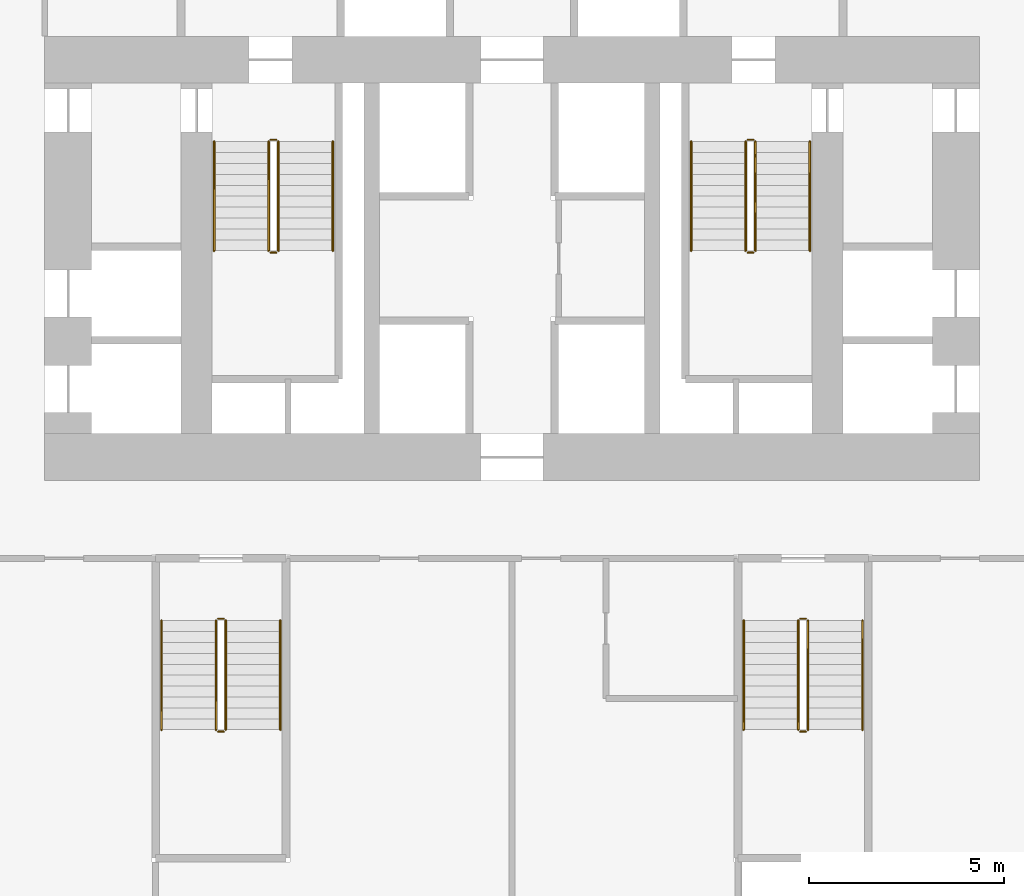
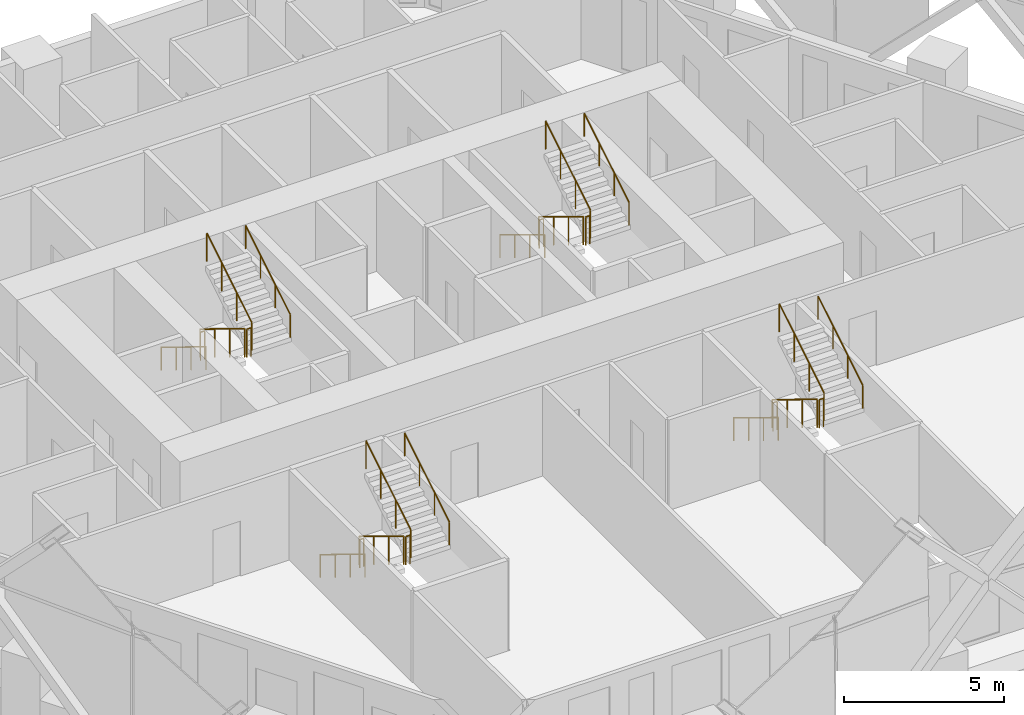
# One storey, part 22 of 22: 24 railings.
"""IFC4 building model written with IfcOpenShell, lengths in metres."""

from ifc_helpers import new_model, si_unit, direction, frame, origin, origin_2d, place, context, subcontext, project, spatial, circle, extrude, material, type_object, element, save


model = new_model("IFC4")

# Units and contexts
model_context = context("Model", 3, precision=1e-05, world=origin(), true_north=direction((0.0, 1.0)))
body_context = subcontext(model_context, "Body", "Model", "MODEL_VIEW")
ifc_project = project(units=[si_unit("LENGTHUNIT", "METRE"), si_unit("AREAUNIT", "SQUARE_METRE"), si_unit("VOLUMEUNIT", "CUBIC_METRE"), si_unit("PLANEANGLEUNIT", "RADIAN"), si_unit("MASSUNIT", "GRAM", prefix="KILO")], contexts=[model_context])

# Site, building, storey
site_placement = place(None, origin())
site = spatial("IfcSite", under=ifc_project, at=site_placement, CompositionType="ELEMENT")
building_placement = place(site_placement, origin())
building = spatial("IfcBuilding", under=site, at=building_placement, Name="Ostrander Bayou Hotel Tower", CompositionType="ELEMENT")
storey_placement = place(building_placement, frame((0.0, 0.0, 35.5)))
storey = spatial("IfcBuildingStorey", under=building, at=storey_placement, Name="L08", CompositionType="ELEMENT", Elevation=35.5)

# Railings
ifc_material_1 = material(Name="Steel ASTM A500 Gr C", Category="steel")
railing_type_1 = type_object("IfcRailingType", Name="GR1 stair guard 1100 mm steel", PredefinedType="GUARDRAIL", material=ifc_material_1)
railing_1_placement = place(storey_placement, frame((-6.25, 7.0, 0.17041015625)))
element("IfcRailing", 1, at=railing_1_placement, inside=storey, type_object=railing_type_1, Name="L08 STA stair guard 1", PredefinedType="GUARDRAIL", context=body_context, shape_type="SweptSolid", body=[
    extrude(circle(Radius=0.02392578125, at=origin_2d()), frame((0.0, 0.0, 1.076171875), z_axis=(0.0, -0.854169791009, 0.51999420009), x_axis=(1.0, 0.0, 0.0)), (0.0, 0.0, 1.0), 3.278076171875),
    extrude(circle(Radius=0.02099609375, at=origin_2d()), origin(), (0.0, 0.0, 1.0), 1.052001953125),
    extrude(circle(Radius=0.02099609375, at=origin_2d()), frame((0.0, -0.933349609375, 0.568115234375)), (0.0, 0.0, 1.0), 1.052001953125),
    extrude(circle(Radius=0.02099609375, at=origin_2d()), frame((0.0, -1.86669921875, 1.136474609375)), (0.0, 0.0, 1.0), 1.052001953125),
    extrude(circle(Radius=0.02099609375, at=origin_2d()), frame((0.0, -2.800048828125, 1.70458984375)), (0.0, 0.0, 1.0), 1.052001953125),
])
railing_2_placement = place(storey_placement, frame((-6.199951171875, 4.14990234375, 1.875)))
element("IfcRailing", 2, at=railing_2_placement, inside=storey, type_object=railing_type_1, Name="L08 STA stair guard 2", PredefinedType="GUARDRAIL", context=body_context, shape_type="SweptSolid", body=[
    extrude(circle(Radius=0.02392578125, at=origin_2d()), frame((0.0, 0.0, 1.076171875), z_axis=(1.0, 0.0, 0.0), x_axis=(0.0, 1.0, 0.0)), (0.0, 0.0, 1.0), 0.14990234375),
    extrude(circle(Radius=0.02099609375, at=origin_2d()), origin(), (0.0, 0.0, 1.0), 1.052001953125),
    extrude(circle(Radius=0.02099609375, at=origin_2d()), frame((0.14990234375, 0.0, 0.0)), (0.0, 0.0, 1.0), 1.052001953125),
])
railing_3_placement = place(storey_placement, frame((-6.0, 4.199951171875, 2.04541015625)))
element("IfcRailing", 3, at=railing_3_placement, inside=storey, type_object=railing_type_1, Name="L08 STA stair guard 3", PredefinedType="GUARDRAIL", context=body_context, shape_type="SweptSolid", body=[
    extrude(circle(Radius=0.02392578125, at=origin_2d()), frame((0.0, 0.0, 1.076171875), z_axis=(0.0, 0.854169791009, 0.51999420009), x_axis=(-1.0, 0.0, 0.0)), (0.0, 0.0, 1.0), 3.278076171875),
    extrude(circle(Radius=0.02099609375, at=origin_2d()), origin(), (0.0, 0.0, 1.0), 1.052001953125),
    extrude(circle(Radius=0.02099609375, at=origin_2d()), frame((0.0, 0.933349609375, 0.568115234375)), (0.0, 0.0, 1.0), 1.052001953125),
    extrude(circle(Radius=0.02099609375, at=origin_2d()), frame((0.0, 1.86669921875, 1.136474609375)), (0.0, 0.0, 1.0), 1.052001953125),
    extrude(circle(Radius=0.02099609375, at=origin_2d()), frame((0.0, 2.800048828125, 1.70458984375)), (0.0, 0.0, 1.0), 1.052001953125),
])
railing_4_placement = place(storey_placement, frame((-6.199951171875, 7.050048828125, 0.0)))
element("IfcRailing", 4, at=railing_4_placement, inside=storey, type_object=railing_type_1, Name="L08 STA stair guard 4", PredefinedType="GUARDRAIL", context=body_context, shape_type="SweptSolid", body=[
    extrude(circle(Radius=0.02392578125, at=origin_2d()), frame((0.0, 0.0, 1.076171875), z_axis=(1.0, 0.0, 0.0), x_axis=(0.0, 1.0, 0.0)), (0.0, 0.0, 1.0), 0.14990234375),
    extrude(circle(Radius=0.02099609375, at=origin_2d()), origin(), (0.0, 0.0, 1.0), 1.052001953125),
    extrude(circle(Radius=0.02099609375, at=origin_2d()), frame((0.14990234375, 0.0, 0.0)), (0.0, 0.0, 1.0), 1.052001953125),
])
railing_5_placement = place(storey_placement, frame((6.0, 7.0, 0.17041015625)))
element("IfcRailing", 5, at=railing_5_placement, inside=storey, type_object=railing_type_1, Name="L08 STB stair guard 1", PredefinedType="GUARDRAIL", context=body_context, shape_type="SweptSolid", body=[
    extrude(circle(Radius=0.02392578125, at=origin_2d()), frame((0.0, 0.0, 1.076171875), z_axis=(0.0, -0.854169791009, 0.51999420009), x_axis=(1.0, 0.0, 0.0)), (0.0, 0.0, 1.0), 3.278076171875),
    extrude(circle(Radius=0.02099609375, at=origin_2d()), origin(), (0.0, 0.0, 1.0), 1.052001953125),
    extrude(circle(Radius=0.02099609375, at=origin_2d()), frame((0.0, -0.933349609375, 0.568115234375)), (0.0, 0.0, 1.0), 1.052001953125),
    extrude(circle(Radius=0.02099609375, at=origin_2d()), frame((0.0, -1.86669921875, 1.136474609375)), (0.0, 0.0, 1.0), 1.052001953125),
    extrude(circle(Radius=0.02099609375, at=origin_2d()), frame((0.0, -2.800048828125, 1.70458984375)), (0.0, 0.0, 1.0), 1.052001953125),
])
railing_6_placement = place(storey_placement, frame((6.050048828125, 4.14990234375, 1.875)))
element("IfcRailing", 6, at=railing_6_placement, inside=storey, type_object=railing_type_1, Name="L08 STB stair guard 2", PredefinedType="GUARDRAIL", context=body_context, shape_type="SweptSolid", body=[
    extrude(circle(Radius=0.02392578125, at=origin_2d()), frame((0.0, 0.0, 1.076171875), z_axis=(1.0, 0.0, 0.0), x_axis=(0.0, 1.0, 0.0)), (0.0, 0.0, 1.0), 0.14990234375),
    extrude(circle(Radius=0.02099609375, at=origin_2d()), origin(), (0.0, 0.0, 1.0), 1.052001953125),
    extrude(circle(Radius=0.02099609375, at=origin_2d()), frame((0.14990234375, 0.0, 0.0)), (0.0, 0.0, 1.0), 1.052001953125),
])
railing_7_placement = place(storey_placement, frame((6.25, 4.199951171875, 2.04541015625)))
element("IfcRailing", 7, at=railing_7_placement, inside=storey, type_object=railing_type_1, Name="L08 STB stair guard 3", PredefinedType="GUARDRAIL", context=body_context, shape_type="SweptSolid", body=[
    extrude(circle(Radius=0.02392578125, at=origin_2d()), frame((0.0, 0.0, 1.076171875), z_axis=(0.0, 0.854169791009, 0.51999420009), x_axis=(-1.0, 0.0, 0.0)), (0.0, 0.0, 1.0), 3.278076171875),
    extrude(circle(Radius=0.02099609375, at=origin_2d()), origin(), (0.0, 0.0, 1.0), 1.052001953125),
    extrude(circle(Radius=0.02099609375, at=origin_2d()), frame((0.0, 0.933349609375, 0.568115234375)), (0.0, 0.0, 1.0), 1.052001953125),
    extrude(circle(Radius=0.02099609375, at=origin_2d()), frame((0.0, 1.86669921875, 1.136474609375)), (0.0, 0.0, 1.0), 1.052001953125),
    extrude(circle(Radius=0.02099609375, at=origin_2d()), frame((0.0, 2.800048828125, 1.70458984375)), (0.0, 0.0, 1.0), 1.052001953125),
])
railing_8_placement = place(storey_placement, frame((6.050048828125, 7.050048828125, 0.0)))
element("IfcRailing", 8, at=railing_8_placement, inside=storey, type_object=railing_type_1, Name="L08 STB stair guard 4", PredefinedType="GUARDRAIL", context=body_context, shape_type="SweptSolid", body=[
    extrude(circle(Radius=0.02392578125, at=origin_2d()), frame((0.0, 0.0, 1.076171875), z_axis=(1.0, 0.0, 0.0), x_axis=(0.0, 1.0, 0.0)), (0.0, 0.0, 1.0), 0.14990234375),
    extrude(circle(Radius=0.02099609375, at=origin_2d()), origin(), (0.0, 0.0, 1.0), 1.052001953125),
    extrude(circle(Radius=0.02099609375, at=origin_2d()), frame((0.14990234375, 0.0, 0.0)), (0.0, 0.0, 1.0), 1.052001953125),
])
railing_9_placement = place(storey_placement, frame((7.35009765625, -5.300048828125, 0.17041015625)))
element("IfcRailing", 9, at=railing_9_placement, inside=storey, type_object=railing_type_1, Name="L08 STC stair guard 1", PredefinedType="GUARDRAIL", context=body_context, shape_type="SweptSolid", body=[
    extrude(circle(Radius=0.02392578125, at=origin_2d()), frame((0.0, 0.0, 1.076171875), z_axis=(0.0, -0.854169791009, 0.51999420009), x_axis=(1.0, 0.0, 0.0)), (0.0, 0.0, 1.0), 3.278076171875),
    extrude(circle(Radius=0.02099609375, at=origin_2d()), origin(), (0.0, 0.0, 1.0), 1.052001953125),
    extrude(circle(Radius=0.02099609375, at=origin_2d()), frame((0.0, -0.933349609375, 0.568115234375)), (0.0, 0.0, 1.0), 1.052001953125),
    extrude(circle(Radius=0.02099609375, at=origin_2d()), frame((0.0, -1.86669921875, 1.136474609375)), (0.0, 0.0, 1.0), 1.052001953125),
    extrude(circle(Radius=0.02099609375, at=origin_2d()), frame((0.0, -2.800048828125, 1.70458984375)), (0.0, 0.0, 1.0), 1.052001953125),
])
railing_10_placement = place(storey_placement, frame((7.39990234375, -8.14990234375, 1.875)))
element("IfcRailing", 10, at=railing_10_placement, inside=storey, type_object=railing_type_1, Name="L08 STC stair guard 2", PredefinedType="GUARDRAIL", context=body_context, shape_type="SweptSolid", body=[
    extrude(circle(Radius=0.02392578125, at=origin_2d()), frame((0.0, 0.0, 1.076171875), z_axis=(1.0, 0.0, 0.0), x_axis=(0.0, 1.0, 0.0)), (0.0, 0.0, 1.0), 0.150146484375),
    extrude(circle(Radius=0.02099609375, at=origin_2d()), origin(), (0.0, 0.0, 1.0), 1.052001953125),
    extrude(circle(Radius=0.02099609375, at=origin_2d()), frame((0.150146484375, 0.0, 0.0)), (0.0, 0.0, 1.0), 1.052001953125),
])
railing_11_placement = place(storey_placement, frame((7.60009765625, -8.10009765625, 2.04541015625)))
element("IfcRailing", 11, at=railing_11_placement, inside=storey, type_object=railing_type_1, Name="L08 STC stair guard 3", PredefinedType="GUARDRAIL", context=body_context, shape_type="SweptSolid", body=[
    extrude(circle(Radius=0.02392578125, at=origin_2d()), frame((0.0, 0.0, 1.076171875), z_axis=(0.0, 0.854169791009, 0.51999420009), x_axis=(-1.0, 0.0, 0.0)), (0.0, 0.0, 1.0), 3.278076171875),
    extrude(circle(Radius=0.02099609375, at=origin_2d()), origin(), (0.0, 0.0, 1.0), 1.052001953125),
    extrude(circle(Radius=0.02099609375, at=origin_2d()), frame((0.0, 0.933349609375, 0.568115234375)), (0.0, 0.0, 1.0), 1.052001953125),
    extrude(circle(Radius=0.02099609375, at=origin_2d()), frame((0.0, 1.86669921875, 1.136474609375)), (0.0, 0.0, 1.0), 1.052001953125),
    extrude(circle(Radius=0.02099609375, at=origin_2d()), frame((0.0, 2.800048828125, 1.70458984375)), (0.0, 0.0, 1.0), 1.052001953125),
])
railing_12_placement = place(storey_placement, frame((7.39990234375, -5.25, 0.0)))
element("IfcRailing", 12, at=railing_12_placement, inside=storey, type_object=railing_type_1, Name="L08 STC stair guard 4", PredefinedType="GUARDRAIL", context=body_context, shape_type="SweptSolid", body=[
    extrude(circle(Radius=0.02392578125, at=origin_2d()), frame((0.0, 0.0, 1.076171875), z_axis=(1.0, 0.0, 0.0), x_axis=(0.0, 1.0, 0.0)), (0.0, 0.0, 1.0), 0.150146484375),
    extrude(circle(Radius=0.02099609375, at=origin_2d()), origin(), (0.0, 0.0, 1.0), 1.052001953125),
    extrude(circle(Radius=0.02099609375, at=origin_2d()), frame((0.150146484375, 0.0, 0.0)), (0.0, 0.0, 1.0), 1.052001953125),
])
railing_13_placement = place(storey_placement, frame((-7.60009765625, -5.300048828125, 0.17041015625)))
element("IfcRailing", 13, at=railing_13_placement, inside=storey, type_object=railing_type_1, Name="L08 STD stair guard 1", PredefinedType="GUARDRAIL", context=body_context, shape_type="SweptSolid", body=[
    extrude(circle(Radius=0.02392578125, at=origin_2d()), frame((0.0, 0.0, 1.076171875), z_axis=(0.0, -0.854169791009, 0.51999420009), x_axis=(1.0, 0.0, 0.0)), (0.0, 0.0, 1.0), 3.278076171875),
    extrude(circle(Radius=0.02099609375, at=origin_2d()), origin(), (0.0, 0.0, 1.0), 1.052001953125),
    extrude(circle(Radius=0.02099609375, at=origin_2d()), frame((0.0, -0.933349609375, 0.568115234375)), (0.0, 0.0, 1.0), 1.052001953125),
    extrude(circle(Radius=0.02099609375, at=origin_2d()), frame((0.0, -1.86669921875, 1.136474609375)), (0.0, 0.0, 1.0), 1.052001953125),
    extrude(circle(Radius=0.02099609375, at=origin_2d()), frame((0.0, -2.800048828125, 1.70458984375)), (0.0, 0.0, 1.0), 1.052001953125),
])
railing_14_placement = place(storey_placement, frame((-7.550048828125, -8.14990234375, 1.875)))
element("IfcRailing", 14, at=railing_14_placement, inside=storey, type_object=railing_type_1, Name="L08 STD stair guard 2", PredefinedType="GUARDRAIL", context=body_context, shape_type="SweptSolid", body=[
    extrude(circle(Radius=0.02392578125, at=origin_2d()), frame((0.0, 0.0, 1.076171875), z_axis=(1.0, 0.0, 0.0), x_axis=(0.0, 1.0, 0.0)), (0.0, 0.0, 1.0), 0.150146484375),
    extrude(circle(Radius=0.02099609375, at=origin_2d()), origin(), (0.0, 0.0, 1.0), 1.052001953125),
    extrude(circle(Radius=0.02099609375, at=origin_2d()), frame((0.150146484375, 0.0, 0.0)), (0.0, 0.0, 1.0), 1.052001953125),
])
railing_15_placement = place(storey_placement, frame((-7.35009765625, -8.10009765625, 2.04541015625)))
element("IfcRailing", 15, at=railing_15_placement, inside=storey, type_object=railing_type_1, Name="L08 STD stair guard 3", PredefinedType="GUARDRAIL", context=body_context, shape_type="SweptSolid", body=[
    extrude(circle(Radius=0.02392578125, at=origin_2d()), frame((0.0, 0.0, 1.076171875), z_axis=(0.0, 0.854169791009, 0.51999420009), x_axis=(-1.0, 0.0, 0.0)), (0.0, 0.0, 1.0), 3.278076171875),
    extrude(circle(Radius=0.02099609375, at=origin_2d()), origin(), (0.0, 0.0, 1.0), 1.052001953125),
    extrude(circle(Radius=0.02099609375, at=origin_2d()), frame((0.0, 0.933349609375, 0.568115234375)), (0.0, 0.0, 1.0), 1.052001953125),
    extrude(circle(Radius=0.02099609375, at=origin_2d()), frame((0.0, 1.86669921875, 1.136474609375)), (0.0, 0.0, 1.0), 1.052001953125),
    extrude(circle(Radius=0.02099609375, at=origin_2d()), frame((0.0, 2.800048828125, 1.70458984375)), (0.0, 0.0, 1.0), 1.052001953125),
])
railing_16_placement = place(storey_placement, frame((-7.550048828125, -5.25, 0.0)))
element("IfcRailing", 16, at=railing_16_placement, inside=storey, type_object=railing_type_1, Name="L08 STD stair guard 4", PredefinedType="GUARDRAIL", context=body_context, shape_type="SweptSolid", body=[
    extrude(circle(Radius=0.02392578125, at=origin_2d()), frame((0.0, 0.0, 1.076171875), z_axis=(1.0, 0.0, 0.0), x_axis=(0.0, 1.0, 0.0)), (0.0, 0.0, 1.0), 0.150146484375),
    extrude(circle(Radius=0.02099609375, at=origin_2d()), origin(), (0.0, 0.0, 1.0), 1.052001953125),
    extrude(circle(Radius=0.02099609375, at=origin_2d()), frame((0.150146484375, 0.0, 0.0)), (0.0, 0.0, 1.0), 1.052001953125),
])
ifc_material_2 = material(Name="Steel ASTM A500 Gr C", Category="steel")
railing_type_2 = type_object("IfcRailingType", Name="HR1 stair handrail 900 mm steel", PredefinedType="HANDRAIL", material=ifc_material_2)
railing_17_placement = place(storey_placement, frame((-7.64990234375, 7.0, 0.17041015625)))
element("IfcRailing", 17, at=railing_17_placement, inside=storey, type_object=railing_type_2, Name="L08 STA stair handrail 1", PredefinedType="HANDRAIL", context=body_context, shape_type="SweptSolid", body=[
    extrude(circle(Radius=0.02392578125, at=origin_2d()), frame((0.0, 0.0, 0.8759765625), z_axis=(0.0, -0.854169791009, 0.51999420009), x_axis=(1.0, 0.0, 0.0)), (0.0, 0.0, 1.0), 3.278076171875),
    extrude(circle(Radius=0.02099609375, at=origin_2d()), origin(), (0.0, 0.0, 1.0), 0.851806640625),
    extrude(circle(Radius=0.02099609375, at=origin_2d()), frame((0.0, -0.933349609375, 0.568115234375)), (0.0, 0.0, 1.0), 0.851806640625),
    extrude(circle(Radius=0.02099609375, at=origin_2d()), frame((0.0, -1.86669921875, 1.136474609375)), (0.0, 0.0, 1.0), 0.851806640625),
    extrude(circle(Radius=0.02099609375, at=origin_2d()), frame((0.0, -2.800048828125, 1.70458984375)), (0.0, 0.0, 1.0), 0.851806640625),
])
railing_18_placement = place(storey_placement, frame((-4.60009765625, 4.199951171875, 2.04541015625)))
element("IfcRailing", 18, at=railing_18_placement, inside=storey, type_object=railing_type_2, Name="L08 STA stair handrail 2", PredefinedType="HANDRAIL", context=body_context, shape_type="SweptSolid", body=[
    extrude(circle(Radius=0.02392578125, at=origin_2d()), frame((0.0, 0.0, 0.8759765625), z_axis=(0.0, 0.854169791009, 0.51999420009), x_axis=(-1.0, 0.0, 0.0)), (0.0, 0.0, 1.0), 3.278076171875),
    extrude(circle(Radius=0.02099609375, at=origin_2d()), origin(), (0.0, 0.0, 1.0), 0.851806640625),
    extrude(circle(Radius=0.02099609375, at=origin_2d()), frame((0.0, 0.933349609375, 0.568115234375)), (0.0, 0.0, 1.0), 0.851806640625),
    extrude(circle(Radius=0.02099609375, at=origin_2d()), frame((0.0, 1.86669921875, 1.136474609375)), (0.0, 0.0, 1.0), 0.851806640625),
    extrude(circle(Radius=0.02099609375, at=origin_2d()), frame((0.0, 2.800048828125, 1.70458984375)), (0.0, 0.0, 1.0), 0.851806640625),
])
railing_19_placement = place(storey_placement, frame((4.60009765625, 7.0, 0.17041015625)))
element("IfcRailing", 19, at=railing_19_placement, inside=storey, type_object=railing_type_2, Name="L08 STB stair handrail 1", PredefinedType="HANDRAIL", context=body_context, shape_type="SweptSolid", body=[
    extrude(circle(Radius=0.02392578125, at=origin_2d()), frame((0.0, 0.0, 0.8759765625), z_axis=(0.0, -0.854169791009, 0.51999420009), x_axis=(1.0, 0.0, 0.0)), (0.0, 0.0, 1.0), 3.278076171875),
    extrude(circle(Radius=0.02099609375, at=origin_2d()), origin(), (0.0, 0.0, 1.0), 0.851806640625),
    extrude(circle(Radius=0.02099609375, at=origin_2d()), frame((0.0, -0.933349609375, 0.568115234375)), (0.0, 0.0, 1.0), 0.851806640625),
    extrude(circle(Radius=0.02099609375, at=origin_2d()), frame((0.0, -1.86669921875, 1.136474609375)), (0.0, 0.0, 1.0), 0.851806640625),
    extrude(circle(Radius=0.02099609375, at=origin_2d()), frame((0.0, -2.800048828125, 1.70458984375)), (0.0, 0.0, 1.0), 0.851806640625),
])
railing_20_placement = place(storey_placement, frame((7.64990234375, 4.199951171875, 2.04541015625)))
element("IfcRailing", 20, at=railing_20_placement, inside=storey, type_object=railing_type_2, Name="L08 STB stair handrail 2", PredefinedType="HANDRAIL", context=body_context, shape_type="SweptSolid", body=[
    extrude(circle(Radius=0.02392578125, at=origin_2d()), frame((0.0, 0.0, 0.8759765625), z_axis=(0.0, 0.854169791009, 0.51999420009), x_axis=(-1.0, 0.0, 0.0)), (0.0, 0.0, 1.0), 3.278076171875),
    extrude(circle(Radius=0.02099609375, at=origin_2d()), origin(), (0.0, 0.0, 1.0), 0.851806640625),
    extrude(circle(Radius=0.02099609375, at=origin_2d()), frame((0.0, 0.933349609375, 0.568115234375)), (0.0, 0.0, 1.0), 0.851806640625),
    extrude(circle(Radius=0.02099609375, at=origin_2d()), frame((0.0, 1.86669921875, 1.136474609375)), (0.0, 0.0, 1.0), 0.851806640625),
    extrude(circle(Radius=0.02099609375, at=origin_2d()), frame((0.0, 2.800048828125, 1.70458984375)), (0.0, 0.0, 1.0), 0.851806640625),
])
railing_21_placement = place(storey_placement, frame((5.949951171875, -5.300048828125, 0.17041015625)))
element("IfcRailing", 21, at=railing_21_placement, inside=storey, type_object=railing_type_2, Name="L08 STC stair handrail 1", PredefinedType="HANDRAIL", context=body_context, shape_type="SweptSolid", body=[
    extrude(circle(Radius=0.02392578125, at=origin_2d()), frame((0.0, 0.0, 0.8759765625), z_axis=(0.0, -0.854169791009, 0.51999420009), x_axis=(1.0, 0.0, 0.0)), (0.0, 0.0, 1.0), 3.278076171875),
    extrude(circle(Radius=0.02099609375, at=origin_2d()), origin(), (0.0, 0.0, 1.0), 0.851806640625),
    extrude(circle(Radius=0.02099609375, at=origin_2d()), frame((0.0, -0.933349609375, 0.568115234375)), (0.0, 0.0, 1.0), 0.851806640625),
    extrude(circle(Radius=0.02099609375, at=origin_2d()), frame((0.0, -1.86669921875, 1.136474609375)), (0.0, 0.0, 1.0), 0.851806640625),
    extrude(circle(Radius=0.02099609375, at=origin_2d()), frame((0.0, -2.800048828125, 1.70458984375)), (0.0, 0.0, 1.0), 0.851806640625),
])
railing_22_placement = place(storey_placement, frame((9.0, -8.10009765625, 2.04541015625)))
element("IfcRailing", 22, at=railing_22_placement, inside=storey, type_object=railing_type_2, Name="L08 STC stair handrail 2", PredefinedType="HANDRAIL", context=body_context, shape_type="SweptSolid", body=[
    extrude(circle(Radius=0.02392578125, at=origin_2d()), frame((0.0, 0.0, 0.8759765625), z_axis=(0.0, 0.854169791009, 0.51999420009), x_axis=(-1.0, 0.0, 0.0)), (0.0, 0.0, 1.0), 3.278076171875),
    extrude(circle(Radius=0.02099609375, at=origin_2d()), origin(), (0.0, 0.0, 1.0), 0.851806640625),
    extrude(circle(Radius=0.02099609375, at=origin_2d()), frame((0.0, 0.933349609375, 0.568115234375)), (0.0, 0.0, 1.0), 0.851806640625),
    extrude(circle(Radius=0.02099609375, at=origin_2d()), frame((0.0, 1.86669921875, 1.136474609375)), (0.0, 0.0, 1.0), 0.851806640625),
    extrude(circle(Radius=0.02099609375, at=origin_2d()), frame((0.0, 2.800048828125, 1.70458984375)), (0.0, 0.0, 1.0), 0.851806640625),
])
railing_23_placement = place(storey_placement, frame((-9.0, -5.300048828125, 0.17041015625)))
element("IfcRailing", 23, at=railing_23_placement, inside=storey, type_object=railing_type_2, Name="L08 STD stair handrail 1", PredefinedType="HANDRAIL", context=body_context, shape_type="SweptSolid", body=[
    extrude(circle(Radius=0.02392578125, at=origin_2d()), frame((0.0, 0.0, 0.8759765625), z_axis=(0.0, -0.854169791009, 0.51999420009), x_axis=(1.0, 0.0, 0.0)), (0.0, 0.0, 1.0), 3.278076171875),
    extrude(circle(Radius=0.02099609375, at=origin_2d()), origin(), (0.0, 0.0, 1.0), 0.851806640625),
    extrude(circle(Radius=0.02099609375, at=origin_2d()), frame((0.0, -0.933349609375, 0.568115234375)), (0.0, 0.0, 1.0), 0.851806640625),
    extrude(circle(Radius=0.02099609375, at=origin_2d()), frame((0.0, -1.86669921875, 1.136474609375)), (0.0, 0.0, 1.0), 0.851806640625),
    extrude(circle(Radius=0.02099609375, at=origin_2d()), frame((0.0, -2.800048828125, 1.70458984375)), (0.0, 0.0, 1.0), 0.851806640625),
])
railing_24_placement = place(storey_placement, frame((-5.949951171875, -8.10009765625, 2.04541015625)))
element("IfcRailing", 24, at=railing_24_placement, inside=storey, type_object=railing_type_2, Name="L08 STD stair handrail 2", PredefinedType="HANDRAIL", context=body_context, shape_type="SweptSolid", body=[
    extrude(circle(Radius=0.02392578125, at=origin_2d()), frame((0.0, 0.0, 0.8759765625), z_axis=(0.0, 0.854169791009, 0.51999420009), x_axis=(-1.0, 0.0, 0.0)), (0.0, 0.0, 1.0), 3.278076171875),
    extrude(circle(Radius=0.02099609375, at=origin_2d()), origin(), (0.0, 0.0, 1.0), 0.851806640625),
    extrude(circle(Radius=0.02099609375, at=origin_2d()), frame((0.0, 0.933349609375, 0.568115234375)), (0.0, 0.0, 1.0), 0.851806640625),
    extrude(circle(Radius=0.02099609375, at=origin_2d()), frame((0.0, 1.86669921875, 1.136474609375)), (0.0, 0.0, 1.0), 0.851806640625),
    extrude(circle(Radius=0.02099609375, at=origin_2d()), frame((0.0, 2.800048828125, 1.70458984375)), (0.0, 0.0, 1.0), 0.851806640625),
])

save(model, "model.ifc")
